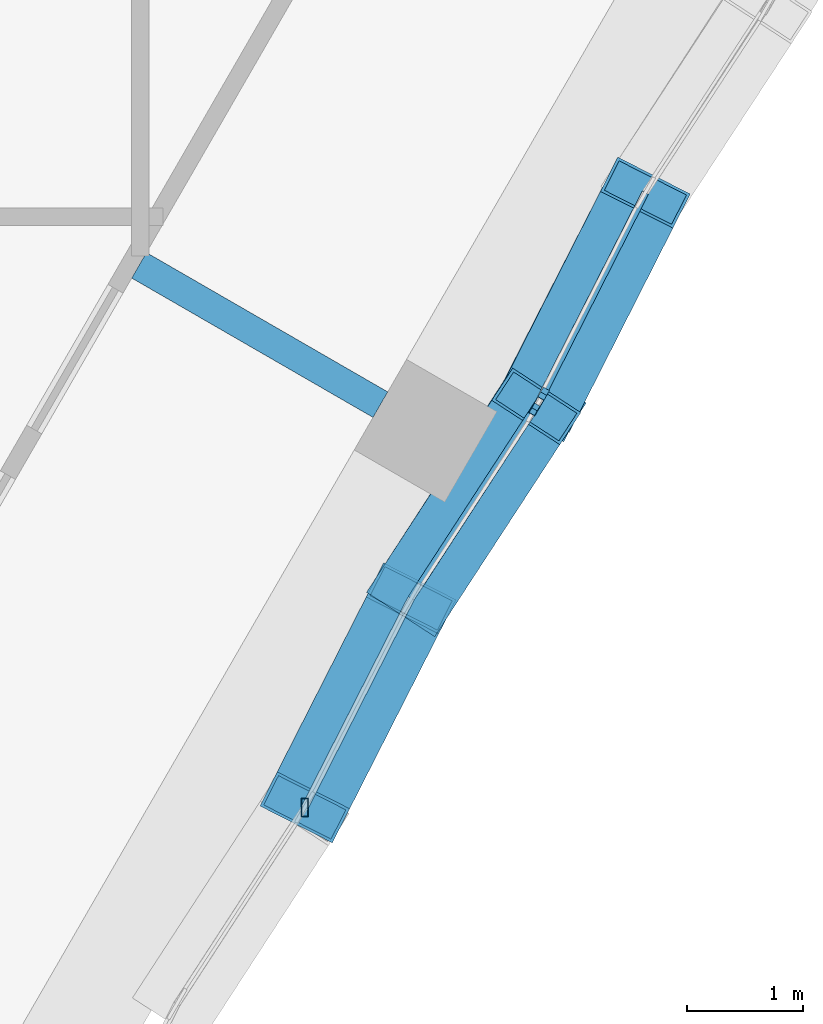
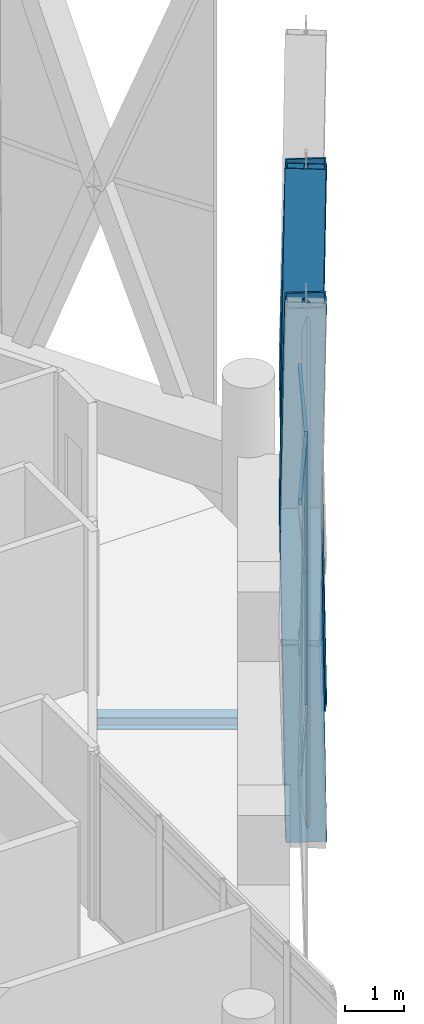
# One storey, part 14 of 37: 13 members, 1 beam, 2 elements without a shape of their own.
"""IFC4 building model written with IfcOpenShell, lengths in metres."""

from ifc_helpers import new_model, si_unit, direction, frame, origin, origin_2d, place, context, subcontext, project, spatial, hollow_rectangle, i_section, extrude, material, material_profile, profile_set, type_object, element, aggregate, save


model = new_model("IFC4")

# Units and contexts
model_context = context("Model", 3, precision=1e-05, world=origin(), true_north=direction((0.0, 1.0)))
body_context = subcontext(model_context, "Body", "Model", "MODEL_VIEW")
ifc_project = project(units=[si_unit("LENGTHUNIT", "METRE"), si_unit("AREAUNIT", "SQUARE_METRE"), si_unit("VOLUMEUNIT", "CUBIC_METRE"), si_unit("PLANEANGLEUNIT", "RADIAN"), si_unit("MASSUNIT", "GRAM", prefix="KILO")], contexts=[model_context])

# Site, building, storey
site_placement = place(None, origin())
site = spatial("IfcSite", under=ifc_project, at=site_placement, CompositionType="ELEMENT")
building_placement = place(site_placement, origin())
building = spatial("IfcBuilding", under=site, at=building_placement, Name="Ostrander Bayou Hotel Tower", CompositionType="ELEMENT")
storey_placement = place(building_placement, frame((0.0, 0.0, 225.75)))
storey = spatial("IfcBuildingStorey", under=building, at=storey_placement, Name="L56", CompositionType="ELEMENT", Elevation=225.75)

# Curtain wall, members
ifc_material_1 = material(Name="Aluminium and clear glass", Category="aluminium")
curtain_wall_type = type_object("IfcCurtainWallType", Name="CW-LAT lattice glazing", PredefinedType="NOTDEFINED", material=ifc_material_1)
curtain_wall_1_placement = place(storey_placement, origin())
curtain_wall_1 = element("IfcCurtainWall", 1, at=curtain_wall_1_placement, inside=storey, type_object=curtain_wall_type, Name="CW-LAT L56 SE 1", PredefinedType="NOTDEFINED")
ifc_material_2 = material(Name="Aluminium", Category="aluminium")
ifc_material_profile_1 = material_profile(ifc_material_2, hollow_rectangle(XDim=0.06005859375, YDim=0.159912109375, WallThickness=0.00390625, at=origin_2d()))
ifc_profile_set_1 = profile_set([ifc_material_profile_1], Name="Aluminium")
member_type_1 = type_object("IfcMemberType", Name="CW-LA mullion 60 x 160 mm", PredefinedType="MULLION", material=ifc_profile_set_1)
member_1_placement = place(storey_placement, frame((15.216064453125, -8.784912109375, -0.60009765625), z_axis=(0.0, 0.0, 1.0), x_axis=(1.0, 0.0, 0.0)))
member_1 = element("IfcMember", 2, at=member_1_placement, type_object=member_type_1, Name="CW-LAT mullion 5", PredefinedType="MULLION", context=body_context, shape_type="SweptSolid", body=[
    extrude(hollow_rectangle(XDim=0.06005859375, YDim=0.159912109375, WallThickness=0.00390625, at=origin_2d()), origin(), (0.0, 0.0, 1.0), 5.625),
])
member_2_placement = place(storey_placement, frame((15.216064453125, -8.784912109375, 5.02490234375), z_axis=(0.0, 0.0, 1.0), x_axis=(1.0, 0.0, 0.0)))
member_2 = element("IfcMember", 3, at=member_2_placement, type_object=member_type_1, Name="CW-LAT mullion 6", PredefinedType="MULLION", context=body_context, shape_type="SweptSolid", body=[
    extrude(hollow_rectangle(XDim=0.06005859375, YDim=0.159912109375, WallThickness=0.00390625, at=origin_2d()), origin(), (0.0, 0.0, 1.0), 5.625),
])
member_3_placement = place(storey_placement, frame((17.257080078125, -5.25, -0.60009765625), z_axis=(-0.00420992022, -0.007291408216, 0.999964555341), x_axis=(0.866013897511, -0.50001992892, 0.0)))
member_3 = element("IfcMember", 4, at=member_3_placement, type_object=member_type_1, Name="CW-LAT mullion 9", PredefinedType="MULLION", context=body_context, shape_type="SweptSolid", body=[
    extrude(hollow_rectangle(XDim=0.06005859375, YDim=0.159912109375, WallThickness=0.00390625, at=origin_2d()), origin(), (0.0, 0.0, 1.0), 5.625244140625),
])
member_4_placement = place(storey_placement, frame((17.2333984375, -5.291015625, 5.02490234375), z_axis=(-0.004209921548, -0.007248009263, 0.999964870844), x_axis=(0.864716406097, -0.502260427494, 0.0)))
member_4 = element("IfcMember", 5, at=member_4_placement, type_object=member_type_1, Name="CW-LAT mullion 10", PredefinedType="MULLION", context=body_context, shape_type="SweptSolid", body=[
    extrude(hollow_rectangle(XDim=0.06005859375, YDim=0.159912109375, WallThickness=0.00390625, at=origin_2d()), origin(), (0.0, 0.0, 1.0), 5.625244140625),
])
aggregate(curtain_wall_1, [member_1, member_2, member_3, member_4])

curtain_wall_2_placement = place(storey_placement, origin())
curtain_wall_2 = element("IfcCurtainWall", 6, at=curtain_wall_2_placement, inside=storey, type_object=curtain_wall_type, Name="CW-LAT L56 SE 2", PredefinedType="NOTDEFINED")
ifc_material_3 = material(Name="Aluminium", Category="aluminium")
ifc_material_profile_2 = material_profile(ifc_material_3, hollow_rectangle(XDim=0.06005859375, YDim=0.1201171875, WallThickness=0.00390625, at=origin_2d()))
ifc_profile_set_2 = profile_set([ifc_material_profile_2], Name="Aluminium")
member_type_2 = type_object("IfcMemberType", Name="CW-LA transom 60 x 120 mm", PredefinedType="USERDEFINED", material=ifc_profile_set_2)
member_5_placement = place(storey_placement, frame((15.216064453125, -8.784912109375, 5.02490234375), z_axis=(0.453487563277, 0.891262604373, 0.0), x_axis=(-0.891262604373, 0.453487563277, 0.0)))
member_5 = element("IfcMember", 7, at=member_5_placement, type_object=member_type_2, Name="CW-LAT transom 8", ObjectType="TRANSOM", PredefinedType="USERDEFINED", context=body_context, shape_type="SweptSolid", body=[
    extrude(hollow_rectangle(XDim=0.06005859375, YDim=0.1201171875, WallThickness=0.00390625, at=origin_2d()), origin(), (0.0, 0.0, 1.0), 2.02001953125),
])
member_6_placement = place(storey_placement, frame((17.2333984375, -5.291015625, 5.02490234375), z_axis=(-0.545154004176, -0.838335918192, 0.0), x_axis=(0.838335918192, -0.545154004176, 0.0)))
member_6 = element("IfcMember", 8, at=member_6_placement, type_object=member_type_2, Name="CW-LAT transom 11", ObjectType="TRANSOM", PredefinedType="USERDEFINED", context=body_context, shape_type="SweptSolid", body=[
    extrude(hollow_rectangle(XDim=0.06005859375, YDim=0.1201171875, WallThickness=0.00390625, at=origin_2d()), origin(), (0.0, 0.0, 1.0), 2.020263671875),
])
member_7_placement = place(storey_placement, frame((17.2333984375, -5.291015625, 5.02490234375), z_axis=(0.45343871684, 0.891287456475, 0.0), x_axis=(-0.891287456475, 0.45343871684, 0.0)))
member_7 = element("IfcMember", 9, at=member_7_placement, type_object=member_type_2, Name="CW-LAT transom 12", ObjectType="TRANSOM", PredefinedType="USERDEFINED", context=body_context, shape_type="SweptSolid", body=[
    extrude(hollow_rectangle(XDim=0.06005859375, YDim=0.1201171875, WallThickness=0.00390625, at=origin_2d()), origin(), (0.0, 0.0, 1.0), 2.020263671875),
])
aggregate(curtain_wall_2, [member_5, member_6, member_7])

# Beam
ifc_material_4 = material(Name="Steel ASTM A992", Category="steel")
ifc_material_profile_3 = material_profile(ifc_material_4, i_section(OverallWidth=0.25390625, OverallDepth=0.25341796875, WebThickness=0.008544921875, FlangeThickness=0.01416015625, at=origin_2d()))
ifc_profile_set_3 = profile_set([ifc_material_profile_3], Name="Steel ASTM A992")
beam_type = type_object("IfcBeamType", Name="LB2 loggia bracket W10x49", PredefinedType="BEAM", material=ifc_profile_set_3)
beam_placement = place(storey_placement, frame((15.867431640625, -5.316650390625, -0.4267578125), z_axis=(-0.866024647952, 0.500001309137, 0.0), x_axis=(-0.500001309137, -0.866024647952, 0.0)))
element("IfcBeam", 10, at=beam_placement, inside=storey, type_object=beam_type, Name="LB2 L56 SE2", PredefinedType="BEAM", context=body_context, shape_type="SweptSolid", body=[
    extrude(i_section(OverallWidth=0.25390625, OverallDepth=0.25341796875, WebThickness=0.008544921875, FlangeThickness=0.01416015625, at=origin_2d()), origin(), (0.0, 0.0, 1.0), 2.39990234375),
])

# Members
ifc_material_5 = material(Name="Steel ASTM A572 Gr 50", Category="steel")
ifc_material_profile_4 = material_profile(ifc_material_5, hollow_rectangle(XDim=0.699951171875, YDim=0.35009765625, WallThickness=0.02490234375, at=origin_2d()))
ifc_profile_set_4 = profile_set([ifc_material_profile_4], Name="Steel ASTM A572 Gr 50")
member_type_3 = type_object("IfcMemberType", Name="LT1 lattice member box 700 x 350 x 25 mm", PredefinedType="BRACE", material=ifc_profile_set_4)
for number, where, z_axis, x_axis, name in (
    (11, (16.132080078125, -6.984619140625, 5.02490234375), (-0.153264830692, -0.301219312772, -0.94115716928), (0.891262604373, -0.453487563277, 0.0), "LT1 L56 SE 3"),
    (12, (16.132080078125, -6.984619140625, 5.02490234375), (-0.153264830692, -0.301219312772, 0.94115716928), (0.891262604373, -0.453487563277, 0.0), "LT1 L56 SE 4"),
):
    element("IfcMember", number, at=place(storey_placement, frame(where, z_axis=z_axis, x_axis=x_axis)), inside=storey, type_object=member_type_3, Name=name, PredefinedType="BRACE", context=body_context, shape_type="SweptSolid", body=[
        extrude(hollow_rectangle(XDim=0.699951171875, YDim=0.35009765625, WallThickness=0.02490234375, at=origin_2d()), origin(), (0.0, 0.0, 1.0), 5.976806640625),
    ])
member_8_placement = place(storey_placement, frame((16.132080078125, -6.984619140625, 5.02490234375), z_axis=(0.187721345598, 0.289444479269, -0.93860672799), x_axis=(-0.838996255552, 0.544137191497, 0.0)))
element("IfcMember", 13, at=member_8_placement, inside=storey, type_object=member_type_3, Name="LT1 L56 SE 5", PredefinedType="BRACE", context=body_context, shape_type="SweptSolid", body=[
    extrude(hollow_rectangle(XDim=0.699951171875, YDim=0.35009765625, WallThickness=0.02490234375, at=origin_2d()), origin(), (0.0, 0.0, 1.0), 5.992919921875),
])
for number, where, z_axis, x_axis, name in (
    (14, (16.132080078125, -6.984619140625, 5.02490234375), (0.180780539696, 0.277273279053, 0.943630184548), (-0.837679513647, 0.546162093536, 0.0), "LT1 L56 SE 6"),
    (15, (18.1494140625, -3.490478515625, 5.02490234375), (-0.14969686757, -0.295175191404, -0.943643181621), (0.89186341759, -0.452304813555, 0.0), "LT1 L56 SE 7"),
):
    element("IfcMember", number, at=place(storey_placement, frame(where, z_axis=z_axis, x_axis=x_axis)), inside=storey, type_object=member_type_3, Name=name, PredefinedType="BRACE", context=body_context, shape_type="SweptSolid", body=[
        extrude(hollow_rectangle(XDim=0.699951171875, YDim=0.35009765625, WallThickness=0.02490234375, at=origin_2d()), origin(), (0.0, 0.0, 1.0), 5.9609375),
    ])
member_9_placement = place(storey_placement, frame((18.1494140625, -3.490478515625, 5.02490234375), z_axis=(-0.156803456144, -0.307251666987, 0.938620844258), x_axis=(0.890712103026, -0.454567871194, 0.0)))
element("IfcMember", 16, at=member_9_placement, inside=storey, type_object=member_type_3, Name="LT1 L56 SE 8", PredefinedType="BRACE", context=body_context, shape_type="SweptSolid", body=[
    extrude(hollow_rectangle(XDim=0.699951171875, YDim=0.35009765625, WallThickness=0.02490234375, at=origin_2d()), origin(), (0.0, 0.0, 1.0), 5.992919921875),
])

save(model, "model.ifc")
